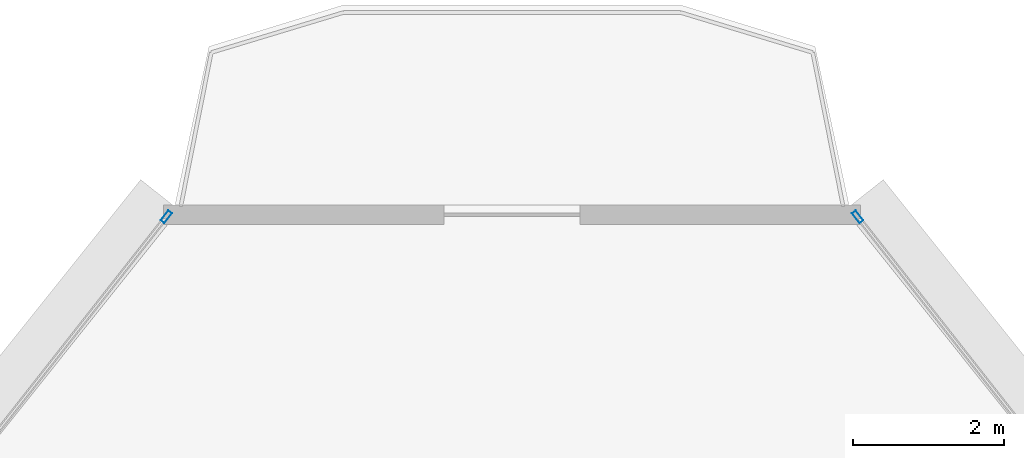
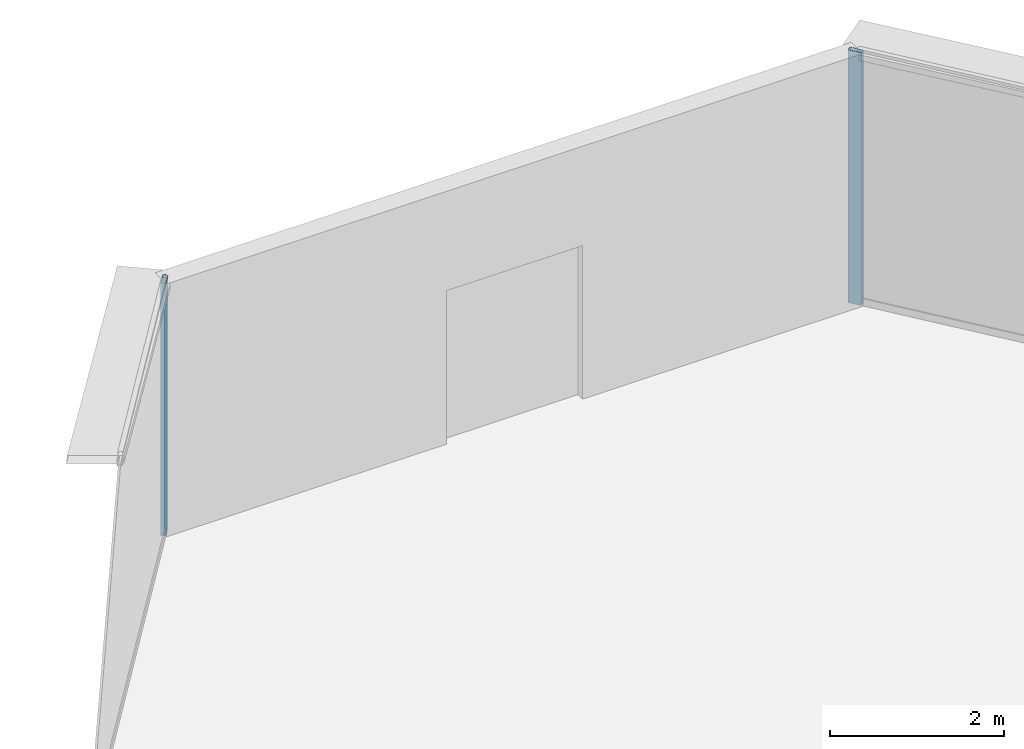
# One storey, part 26 of 39: 2 members, 2 elements without a shape of their own.
"""IFC4 building model written with IfcOpenShell, lengths in metres."""

from ifc_helpers import new_model, si_unit, direction, frame, origin, origin_2d, place, context, subcontext, project, spatial, hollow_rectangle, extrude, source, transform, mapped, material, layer, layer_set, material_profile, profile_set, type_object, element, aggregate, save


model = new_model("IFC4")

# Units and contexts
model_context = context("Model", 3, precision=1e-05, world=origin(), true_north=direction((0.0, 1.0)))
body_context = subcontext(model_context, "Body", "Model", "MODEL_VIEW")
ifc_project = project(units=[si_unit("LENGTHUNIT", "METRE"), si_unit("AREAUNIT", "SQUARE_METRE"), si_unit("VOLUMEUNIT", "CUBIC_METRE"), si_unit("PLANEANGLEUNIT", "RADIAN"), si_unit("MASSUNIT", "GRAM", prefix="KILO"), si_unit("THERMODYNAMICTEMPERATUREUNIT", "KELVIN"), si_unit("POWERUNIT", "WATT")], contexts=[model_context])

# Site, building, storey
site_placement = place(None, origin())
site = spatial("IfcSite", under=ifc_project, at=site_placement, CompositionType="ELEMENT")
building_placement = place(site_placement, origin())
building = spatial("IfcBuilding", under=site, at=building_placement, Name="Yunzhuo Pagoda Commons", CompositionType="ELEMENT")
storey_placement = place(building_placement, frame((0.0, 0.0, 96.3798828125)))
storey = spatial("IfcBuildingStorey", under=building, at=storey_placement, Name="L24", CompositionType="ELEMENT", Elevation=96.3798828125)

# Curtain wall, member
ifc_material = material(Name="Anodized aluminium 6063-T6", Category="aluminium")
ifc_layer = layer(ifc_material, 0.1650390625)
ifc_layer_set = layer_set([ifc_layer], Name="Anodized aluminium 6063-T6")
curtain_wall_type = type_object("IfcCurtainWallType", Name="CW-LOW Low-Zone Ribbon Curtain Wall", PredefinedType="NOTDEFINED", material=ifc_layer_set)
curtain_wall_1_placement = place(storey_placement, origin())
curtain_wall_1 = element("IfcCurtainWall", 1, at=curtain_wall_1_placement, inside=storey, type_object=curtain_wall_type, Name="L24 curtain wall CW-L24-F2B5", PredefinedType="NOTDEFINED")
ifc_material_profile = material_profile(ifc_material, hollow_rectangle(XDim=0.06494140625, YDim=0.1650390625, WallThickness=0.00390625, at=origin_2d()), Name="Anodized aluminium 6063-T6")
ifc_profile_set = profile_set([ifc_material_profile], Name="Anodized aluminium 6063-T6")
member_type = type_object("IfcMemberType", Name="CW-LOW-M Mullion RHS 165x65x4", PredefinedType="MULLION", material=ifc_profile_set)
shared_shape = source(origin(), body_context, "Body", "SweptSolid", [
    extrude(hollow_rectangle(XDim=0.06494140625, YDim=0.1650390625, WallThickness=0.00390625, at=origin_2d()), origin(), (0.0, 0.0, 1.0), 3.5400390625),
])
member_1_placement = place(storey_placement, frame((52.577392578125, 86.879150390625, 0.0), z_axis=(0.0, 0.0, 1.0), x_axis=(-0.786214870416, -0.617953216301, 0.0)))
member_1 = element("IfcMember", 2, at=member_1_placement, type_object=member_type, Name="CW mullion 2", PredefinedType="MULLION", context=body_context, shape_type="MappedRepresentation", body=[
    mapped(shared_shape, transform((0.0, 0.0, 0.0), scale=1.0)),
])
aggregate(curtain_wall_1, [member_1])

curtain_wall_2_placement = place(storey_placement, origin())
curtain_wall_2 = element("IfcCurtainWall", 3, at=curtain_wall_2_placement, inside=storey, type_object=curtain_wall_type, Name="L24 curtain wall CW-L24-F3B1", PredefinedType="NOTDEFINED")
member_2_placement = place(storey_placement, frame((43.422607421875, 86.879150390625, 0.0), z_axis=(0.0, 0.0, 1.0), x_axis=(0.786214870416, -0.617953216301, 0.0)))
member_2 = element("IfcMember", 4, at=member_2_placement, type_object=member_type, Name="CW mullion 1", PredefinedType="MULLION", context=body_context, shape_type="MappedRepresentation", body=[
    mapped(shared_shape, transform((0.0, 0.0, 0.0), scale=1.0)),
])
aggregate(curtain_wall_2, [member_2])

save(model, "model.ifc")
